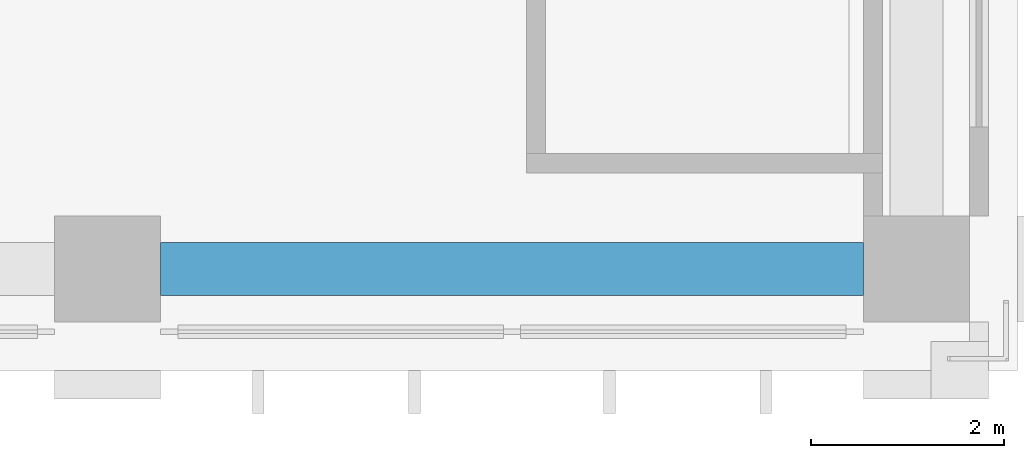
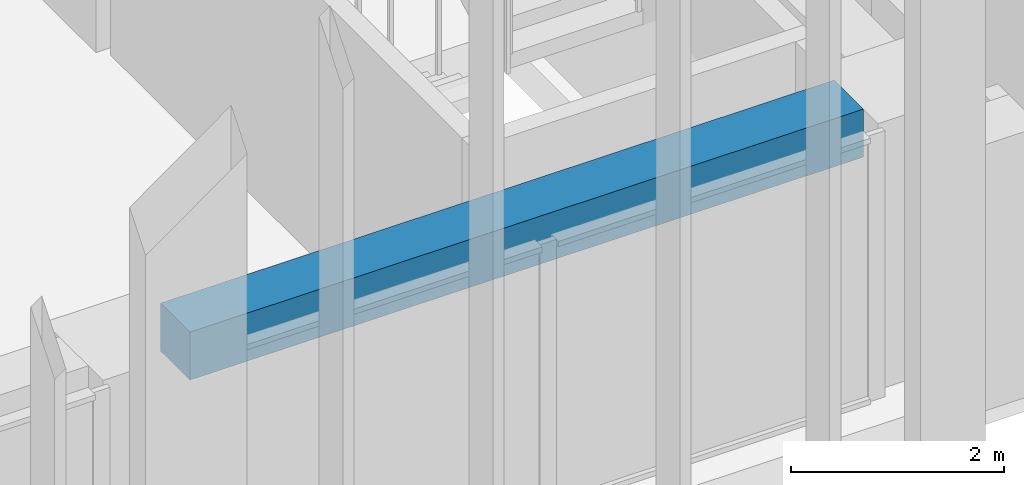
# One storey, part 3 of 16: 1 beam.
"""IFC4 building model written with IfcOpenShell, lengths in metres."""

from ifc_helpers import new_model, si_unit, direction, frame, origin, origin_2d, place, context, subcontext, project, spatial, rectangle, extrude, material, material_profile, profile_set, type_object, element, save


model = new_model("IFC4")

# Units and contexts
model_context = context("Model", 3, precision=1e-05, world=origin(), true_north=direction((0.0, 1.0)))
body_context = subcontext(model_context, "Body", "Model", "MODEL_VIEW")
ifc_project = project(units=[si_unit("LENGTHUNIT", "METRE"), si_unit("AREAUNIT", "SQUARE_METRE"), si_unit("VOLUMEUNIT", "CUBIC_METRE"), si_unit("PLANEANGLEUNIT", "RADIAN"), si_unit("MASSUNIT", "GRAM", prefix="KILO")], contexts=[model_context])

# Site, building, storey
site_placement = place(None, origin())
site = spatial("IfcSite", under=ifc_project, at=site_placement, CompositionType="ELEMENT")
building_placement = place(site_placement, origin())
building = spatial("IfcBuilding", under=site, at=building_placement, Name="Vermilion Ogive Tower", CompositionType="ELEMENT")
storey_placement = place(building_placement, frame((0.0, 0.0, 133.10009765625)))
storey = spatial("IfcBuildingStorey", under=building, at=storey_placement, Name="L33", CompositionType="ELEMENT", Elevation=133.10009765625)

# Beam
ifc_material = material(Name="Concrete B45", Category="concrete")
ifc_material_profile = material_profile(ifc_material, rectangle(XDim=0.550048828125, YDim=0.550048828125, at=origin_2d()), Name="550 x 550")
ifc_profile_set = profile_set([ifc_material_profile], Name="Concrete B45")
beam_type = type_object("IfcBeamType", Name="Edge beam 550 x 550 B45", PredefinedType="BEAM", material=ifc_profile_set)
beam_placement = place(storey_placement, frame((4.75, -21.0, 2.77490234375), z_axis=(1.0, 0.0, 0.0), x_axis=(0.0, 1.0, 0.0)))
element("IfcBeam", 1, at=beam_placement, inside=storey, type_object=beam_type, Name="L33-EB-3", PredefinedType="BEAM", context=body_context, shape_type="SweptSolid", body=[
    extrude(rectangle(XDim=0.550048828125, YDim=0.550048828125, at=origin_2d()), origin(), (0.0, 0.0, 1.0), 7.300048828125),
])

save(model, "model.ifc")
